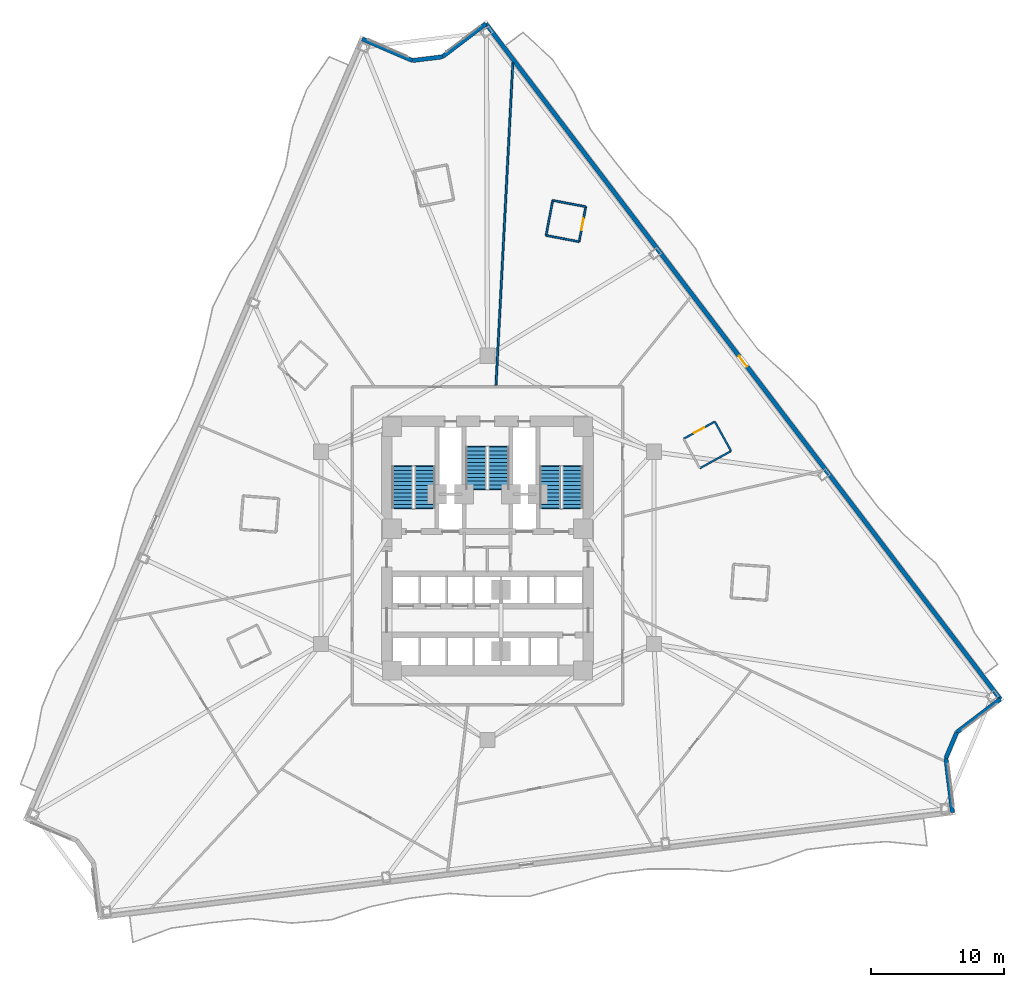
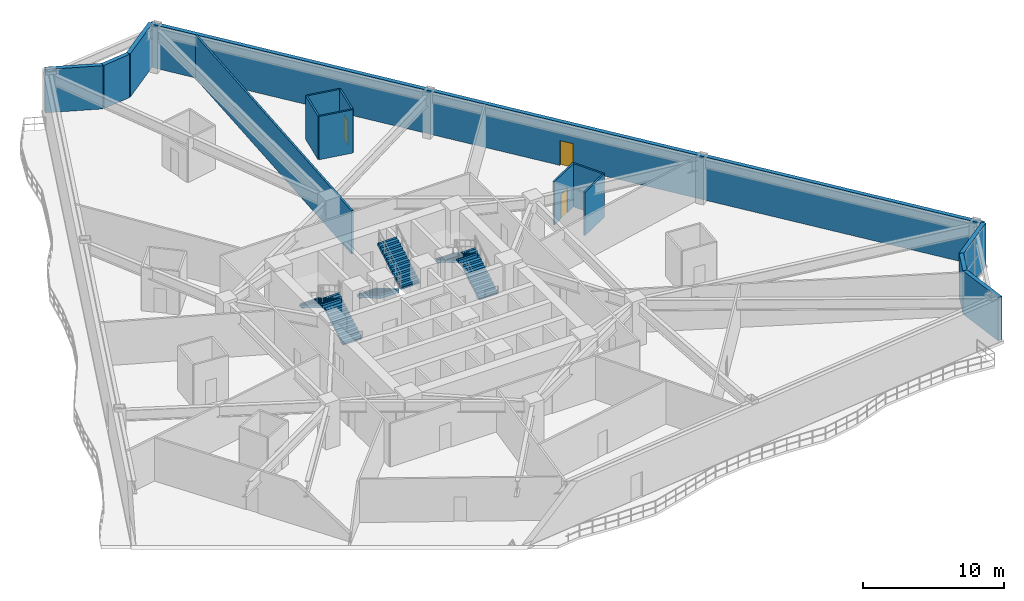
# One storey, part 11 of 17: 15 walls, 6 stair flights, 3 doors, 3 openings, 3 elements without a shape of their own.
"""IFC4 building model written with IfcOpenShell, lengths in metres."""

import ifcopenshell
import ifcopenshell.guid

model = None  # the IFC model being written
_history = None  # IfcOwnerHistory: only IFC2X3 demands one
_inside = {}  # id of a spatial element -> (the spatial element, [elements in it])
_under = {}  # id of a project, library or spatial element -> (it, [spatial elements below it])
_declared = {}  # id of a project -> (the project, [libraries it declares])
_typed = {}  # id of a type object -> (the type object, [elements of that type])
_made_of = {}  # id of a material, layer set ... -> (it, [elements and type objects made of it])


def new_model(schema):
    """Start an empty IFC model of exactly this schema.

    Asked for "IFC4X3", IfcOpenShell would pick the latest addendum, in which some entities
    have other attributes; the version numbers below select the first issue.
    IFC2X3 requires an IfcOwnerHistory on every rooted entity: one is made here for all.
    """
    global model, _history
    if schema == "IFC4X3":
        model = ifcopenshell.file(schema_version=(4, 3, 0, 0))
    else:
        model = ifcopenshell.file(schema=schema)
    _inside.clear()
    _under.clear()
    _declared.clear()
    _typed.clear()
    _made_of.clear()
    _history = None
    if model.schema == "IFC2X3":
        org = make("IfcOrganization", Name="unknown")
        user = make(
            "IfcPersonAndOrganization",
            ThePerson=make("IfcPerson", FamilyName="unknown"),
            TheOrganization=org,
        )
        app = make(
            "IfcApplication",
            ApplicationDeveloper=org,
            Version="unknown",
            ApplicationFullName="unknown",
            ApplicationIdentifier="unknown",
        )
        _history = make(
            "IfcOwnerHistory",
            OwningUser=user,
            OwningApplication=app,
            ChangeAction="ADDED",
            CreationDate=0,
        )
    return model


def make(cls, **values):
    """One entity of the class cls with the attributes given. An attribute that is None is left unset."""
    return model.create_entity(
        cls, **{name: value for name, value in values.items() if value is not None}
    )


def rooted(cls, **values):
    """An entity with a GlobalId (a new one), such as an element, a storey or a relation."""
    return make(cls, GlobalId=ifcopenshell.guid.new(), OwnerHistory=_history, **values)


def si_unit(unit_type, name, prefix=None):
    """IfcSIUnit, for example si_unit("LENGTHUNIT", "METRE", prefix="MILLI")."""
    return make("IfcSIUnit", UnitType=unit_type, Prefix=prefix, Name=name)


def assignment(units):
    """IfcUnitAssignment: the units of a project."""
    return None if units is None else make("IfcUnitAssignment", Units=units)


def point(xyz):
    """IfcCartesianPoint."""
    return None if xyz is None else make("IfcCartesianPoint", Coordinates=xyz)


def direction(xyz):
    """IfcDirection."""
    return None if xyz is None else make("IfcDirection", DirectionRatios=xyz)


def frame(location, z_axis=None, x_axis=None):
    """IfcAxis2Placement3D, a coordinate frame: its origin and axes. An axis left out is left unset."""
    return make(
        "IfcAxis2Placement3D",
        Location=point(location),
        Axis=direction(z_axis),
        RefDirection=direction(x_axis),
    )


def frame_2d(location, x_axis=None):
    """IfcAxis2Placement2D, a coordinate frame in the plane: its origin and x axis."""
    return make(
        "IfcAxis2Placement2D", Location=point(location), RefDirection=direction(x_axis)
    )


def origin():
    """The frame at (0, 0, 0) with its axes left unset."""
    return frame((0.0, 0.0, 0.0))


def place(relative_to, where):
    """IfcLocalPlacement: puts the frame where relative to a parent placement (None: the world)."""
    return make(
        "IfcLocalPlacement", PlacementRelTo=relative_to, RelativePlacement=where
    )


def context(
    kind, dimensions, precision=None, world=None, true_north=None, identifier=None
):
    """IfcGeometricRepresentationContext, for example the 3D "Model" context."""
    return make(
        "IfcGeometricRepresentationContext",
        ContextIdentifier=identifier,
        ContextType=kind,
        CoordinateSpaceDimension=dimensions,
        Precision=precision,
        WorldCoordinateSystem=world,
        TrueNorth=true_north,
    )


def subcontext(parent, identifier, kind, view, scale=None):
    """IfcGeometricRepresentationSubContext, for example "Body" below "Model"."""
    return make(
        "IfcGeometricRepresentationSubContext",
        ContextIdentifier=identifier,
        ContextType=kind,
        ParentContext=parent,
        TargetScale=scale,
        TargetView=view,
    )


def project(units=None, contexts=None):
    """IfcProject with its units and contexts."""
    return rooted(
        "IfcProject",
        Name="project",
        RepresentationContexts=contexts,
        UnitsInContext=assignment(units),
    )


def spatial(cls, under=None, at=None, **own):
    """A site, building, storey or space (cls), placed at a placement, below another one or the project."""
    s = rooted(cls, ObjectPlacement=at, **own)
    if under is not None:
        _under.setdefault(under.id(), (under, []))[1].append(s)
    return s


def polyline(points):
    """IfcPolyline through the points."""
    return make("IfcPolyline", Points=[point(p) for p in points])


def profile(cls, at=None, kind="AREA", **sizes):
    """A parametric profile (cls). Its sizes go by their IFC names, for example OverallWidth=200.0."""
    return make(cls, ProfileType=kind, Position=at, **sizes)


def rectangle(**sizes):
    """IfcRectangleProfileDef."""
    return profile("IfcRectangleProfileDef", **sizes)


def outline(outer, holes=None, kind="AREA"):
    """IfcArbitraryClosedProfileDef: a profile drawn as a closed curve; with holes, ...WithVoids."""
    if holes is None:
        return make("IfcArbitraryClosedProfileDef", ProfileType=kind, OuterCurve=outer)
    return make(
        "IfcArbitraryProfileDefWithVoids",
        ProfileType=kind,
        OuterCurve=outer,
        InnerCurves=holes,
    )


def extrude(swept, where, along, depth):
    """IfcExtrudedAreaSolid: the profile swept, set in the frame where, extruded along a direction by depth."""
    return make(
        "IfcExtrudedAreaSolid",
        SweptArea=swept,
        Position=where,
        ExtrudedDirection=direction(along),
        Depth=depth,
    )


def shape(context_of_items, identifier, shape_type, items):
    """IfcShapeRepresentation: the items that make up one representation, for example the "Body"."""
    return make(
        "IfcShapeRepresentation",
        ContextOfItems=context_of_items,
        RepresentationIdentifier=identifier,
        RepresentationType=shape_type,
        Items=items,
    )


def material(Name=None, Category=None):
    """IfcMaterial."""
    return make("IfcMaterial", Name=Name, Category=Category)


def layer(
    of_material, thickness, ventilated=None, Name=None, Category=None, Priority=None
):
    """IfcMaterialLayer: one layer of a wall or slab, of a material (None: an air gap)."""
    return make(
        "IfcMaterialLayer",
        Material=of_material,
        LayerThickness=thickness,
        IsVentilated=ventilated,
        Name=Name,
        Category=Category,
        Priority=Priority,
    )


def layer_set(layers, Name=None):
    """IfcMaterialLayerSet."""
    return make("IfcMaterialLayerSet", MaterialLayers=layers, LayerSetName=Name)


def made_of(thing, what):
    """Note that an element or type object is made of a material, layer set ...; save() writes the relation."""
    if what is not None:
        _made_of.setdefault(what.id(), (what, []))[1].append(thing)
    return thing


def type_object(cls, material=None, **own):
    """A type object (cls), such as IfcWallType, which elements share."""
    return made_of(rooted(cls, **own), material)


def element(
    cls,
    number,
    at=None,
    inside=None,
    cuts=None,
    type_object=None,
    material=None,
    context=None,
    identifier="Body",
    shape_type=None,
    held_by="IfcProductDefinitionShape",
    body=None,
    shapes=None,
    **own,
):
    """One element of the class cls, such as IfcWall. Its Tag is "e" and its number.

    at: its placement. inside: the storey or other place that contains it. cuts: it is an
    opening in that element (IfcRelVoidsElement). A single representation is given by context,
    identifier, shape_type and body (its items); several are given by shapes. held_by: the class
    of the entity that holds the representations. save() writes the other relations.
    """
    e = rooted(cls, Tag="e%d" % number, ObjectPlacement=at, **own)
    if body is not None:
        shapes = [shape(context, identifier, shape_type, body)]
    if shapes is not None:
        e.Representation = make(held_by, Representations=shapes)
    if inside is not None:
        _inside.setdefault(inside.id(), (inside, []))[1].append(e)
    if cuts is not None:
        rooted(
            "IfcRelVoidsElement", RelatingBuildingElement=cuts, RelatedOpeningElement=e
        )
    if type_object is not None:
        _typed.setdefault(type_object.id(), (type_object, []))[1].append(e)
    return made_of(e, material)


def fill(opening, filler):
    """IfcRelFillsElement: the door or window that sits in an opening."""
    return rooted(
        "IfcRelFillsElement",
        RelatingOpeningElement=opening,
        RelatedBuildingElement=filler,
    )


def aggregate(whole, parts):
    """IfcRelAggregates: a whole, such as a stair, and the parts it consists of."""
    return rooted("IfcRelAggregates", RelatingObject=whole, RelatedObjects=parts)


def save(model, path):
    """Write the relations noted so far, then the file.

    IfcRelAggregates (storeys below a building ...), IfcRelContainedInSpatialStructure (elements
    in a storey), IfcRelDefinesByType, IfcRelAssociatesMaterial and IfcRelDeclares: one each for
    every whole, place, type object, material and project.
    """
    for whole, parts in _under.values():
        aggregate(whole, parts)
    for where, things in _inside.values():
        rooted(
            "IfcRelContainedInSpatialStructure",
            RelatedElements=things,
            RelatingStructure=where,
        )
    for kind, things in _typed.values():
        rooted("IfcRelDefinesByType", RelatedObjects=things, RelatingType=kind)
    for what, things in _made_of.values():
        rooted("IfcRelAssociatesMaterial", RelatedObjects=things, RelatingMaterial=what)
    for by, libraries in _declared.values():
        rooted("IfcRelDeclares", RelatingContext=by, RelatedDefinitions=libraries)
    model.write(path)


model = new_model("IFC4")

# Units and contexts
model_context = context("Model", 3, precision=1e-05, world=origin(), true_north=direction((0.0, 1.0)))
body_context = subcontext(model_context, "Body", "Model", "MODEL_VIEW")
ifc_project = project(units=[si_unit("LENGTHUNIT", "METRE"), si_unit("AREAUNIT", "SQUARE_METRE"), si_unit("VOLUMEUNIT", "CUBIC_METRE"), si_unit("PLANEANGLEUNIT", "RADIAN"), si_unit("MASSUNIT", "GRAM", prefix="KILO")], contexts=[model_context])

# Site, building, storey
site_placement = place(None, origin())
site = spatial("IfcSite", under=ifc_project, at=site_placement, CompositionType="ELEMENT")
building_placement = place(site_placement, origin())
building = spatial("IfcBuilding", under=site, at=building_placement, Name="Apsidion Concourse Tower", CompositionType="ELEMENT")
storey_placement = place(building_placement, frame((0.0, 0.0, 75.0)))
storey = spatial("IfcBuildingStorey", under=building, at=storey_placement, Name="L16", CompositionType="ELEMENT", Elevation=75.0)

# Wall, opening, door
ifc_material_1 = material(Name="Precast concrete C40/50", Category="concrete")
ifc_layer_1 = layer(ifc_material_1, 0.320068359375)
ifc_layer_set_1 = layer_set([ifc_layer_1], Name="Precast concrete C40/50")
wall_type_1 = type_object("IfcWallType", Name="WL-EXT-320", PredefinedType="STANDARD", material=ifc_layer_set_1)
wall_1_placement = place(storey_placement, frame((-0.115234375, 39.555419921875, 0.0), z_axis=(0.0, 0.0, 1.0), x_axis=(0.605877389385, -0.795558036243, 0.0)))
wall_1 = element("IfcWall", 1, at=wall_1_placement, inside=storey, type_object=wall_type_1, Name="L16 Precast Stone Facade Wall 01", PredefinedType="STANDARD", context=body_context, shape_type="SweptSolid", body=[
    extrude(rectangle(XDim=64.058349609375, YDim=0.320068359375, at=frame_2d((32.029296875, 0.0))), origin(), (0.0, 0.0, 1.0), 3.75),
])
opening_1_placement = place(wall_1_placement, frame((31.529296875, 0.0, 0.0)))
opening_1 = element("IfcOpeningElement", 2, at=opening_1_placement, cuts=wall_1, Name="Opening D-T1L", PredefinedType="OPENING", context=body_context, shape_type="SweptSolid", body=[
    extrude(rectangle(XDim=1.0, YDim=2.14990234375, at=frame_2d((0.5, 1.074951171875))), frame((0.0, 0.169921875, 0.0), z_axis=(0.0, -1.0, 0.0), x_axis=(1.0, 0.0, 0.0)), (0.0, 0.0, 1.0), 0.340087890625),
])
ifc_material_2 = material(Name="Anodised aluminium EN AW-6063 T6", Category="aluminium")
door_type_1 = type_object("IfcDoorType", Name="DR-TER-1022L", OperationType="SINGLE_SWING_LEFT", PredefinedType="DOOR", material=ifc_material_2)
door_1_placement = place(opening_1_placement, origin())
door_1 = element("IfcDoor", 3, at=door_1_placement, inside=storey, type_object=door_type_1, Name="L16 Balcony Access Door 3", OperationType="SINGLE_SWING_LEFT", OverallHeight=2.14990234375, OverallWidth=1.0, PredefinedType="DOOR", context=body_context, shape_type="SweptSolid", body=[
    extrude(rectangle(XDim=1.0, YDim=2.14990234375, at=frame_2d((0.5, 1.074951171875))), frame((0.0, 0.02490234375, 0.0), z_axis=(0.0, -1.0, 0.0), x_axis=(1.0, 0.0, 0.0)), (0.0, 0.0, 1.0), 0.050048828125),
])
fill(opening_1, door_1)

# Walls
wall_2_placement = place(storey_placement, frame((38.6962890625, -11.40673828125, 0.0), z_axis=(0.0, 0.0, 1.0), x_axis=(-0.795549815011, -0.605888184269, 0.0)))
element("IfcWall", 4, at=wall_2_placement, inside=storey, type_object=wall_type_1, Name="L16 Precast Stone Facade Wall 02", PredefinedType="STANDARD", context=body_context, shape_type="SweptSolid", body=[
    extrude(rectangle(XDim=4.128173828125, YDim=0.320068359375, at=frame_2d((2.06396484375, 0.0))), origin(), (0.0, 0.0, 1.0), 3.75),
])
wall_3_placement = place(storey_placement, frame((35.412109375, -13.907958984375, 0.0), z_axis=(0.0, 0.0, 1.0), x_axis=(-0.388344964834, -0.921514073841, 0.0)))
element("IfcWall", 5, at=wall_3_placement, inside=storey, type_object=wall_type_1, Name="L16 Precast Stone Facade Wall 03", PredefinedType="STANDARD", context=body_context, shape_type="SweptSolid", body=[
    extrude(rectangle(XDim=2.122314453125, YDim=0.320068359375, at=frame_2d((1.06103515625, 0.0))), origin(), (0.0, 0.0, 1.0), 3.75),
])
wall_4_placement = place(storey_placement, frame((34.587890625, -15.86376953125, 0.0), z_axis=(0.0, 0.0, 1.0), x_axis=(0.12182895116, -0.992551110351, 0.0)))
element("IfcWall", 6, at=wall_4_placement, inside=storey, type_object=wall_type_1, Name="L16 Precast Stone Facade Wall 04", PredefinedType="STANDARD", context=body_context, shape_type="SweptSolid", body=[
    extrude(rectangle(XDim=4.128173828125, YDim=0.320068359375, at=frame_2d((2.06396484375, 0.0))), origin(), (0.0, 0.0, 1.0), 3.75),
])
wall_5_placement = place(storey_placement, frame((-9.45751953125, 38.408203125, 0.0), z_axis=(0.0, 0.0, 1.0), x_axis=(0.918510754284, -0.395395996774, 0.0)))
element("IfcWall", 7, at=wall_5_placement, inside=storey, type_object=wall_type_1, Name="L16 Precast Stone Facade Wall 10", PredefinedType="STANDARD", context=body_context, shape_type="SweptSolid", body=[
    extrude(rectangle(XDim=4.12890625, YDim=0.320068359375, at=frame_2d((2.064453125, 0.0))), origin(), (0.0, 0.0, 1.0), 3.75),
])
wall_6_placement = place(storey_placement, frame((-5.6650390625, 36.775634765625, 0.0), z_axis=(0.0, 0.0, 1.0), x_axis=(0.992547088217, 0.121861715369, 0.0)))
element("IfcWall", 8, at=wall_6_placement, inside=storey, type_object=wall_type_1, Name="L16 Precast Stone Facade Wall 11", PredefinedType="STANDARD", context=body_context, shape_type="SweptSolid", body=[
    extrude(rectangle(XDim=2.281982421875, YDim=0.320068359375, at=frame_2d((1.14111328125, 0.0))), origin(), (0.0, 0.0, 1.0), 3.75),
])
wall_7_placement = place(storey_placement, frame((-3.400146484375, 37.0537109375, 0.0), z_axis=(0.0, 0.0, 1.0), x_axis=(0.795557931523, 0.605877526891, 0.0)))
element("IfcWall", 9, at=wall_7_placement, inside=storey, type_object=wall_type_1, Name="L16 Precast Stone Facade Wall 12", PredefinedType="STANDARD", context=body_context, shape_type="SweptSolid", body=[
    extrude(rectangle(XDim=4.129150390625, YDim=0.320068359375, at=frame_2d((2.064453125, 0.0))), origin(), (0.0, 0.0, 1.0), 3.75),
])
ifc_material_3 = material(Name="Gypsum plasterboard partition")
ifc_layer_2 = layer(ifc_material_3, 0.139892578125)
ifc_layer_set_2 = layer_set([ifc_layer_2], Name="Gypsum plasterboard partition")
wall_type_2 = type_object("IfcWallType", Name="WL-INT-PAR-140", PredefinedType="PARTITIONING", material=ifc_layer_set_2)
wall_8_placement = place(storey_placement, frame((16.02783203125, 6.01025390625, 0.0), z_axis=(0.0, 0.0, 1.0), x_axis=(0.875459845227, 0.483290864175, 0.0)))
element("IfcWall", 10, at=wall_8_placement, inside=storey, type_object=wall_type_2, Name="L16 Interior Partition WL-L16-POD-ENS05-S1", PredefinedType="PARTITIONING", context=body_context, shape_type="SweptSolid", body=[
    extrude(rectangle(XDim=2.68994140625, YDim=0.139892578125, at=frame_2d((1.344970703125, 0.0))), origin(), (0.0, 0.0, 1.0), 3.75),
])
wall_9_placement = place(storey_placement, frame((18.3828125, 7.310302734375, 0.0), z_axis=(0.0, 0.0, 1.0), x_axis=(-0.48321709823, 0.875500563094, 0.0)))
element("IfcWall", 11, at=wall_9_placement, inside=storey, type_object=wall_type_2, Name="L16 Interior Partition WL-L16-POD-ENS05-S2", PredefinedType="PARTITIONING", context=body_context, shape_type="SweptSolid", body=[
    extrude(rectangle(XDim=2.539794921875, YDim=0.139892578125, at=frame_2d((1.27001953125, 0.0))), origin(), (0.0, 0.0, 1.0), 3.75),
])

# Wall, opening, door
wall_10_placement = place(storey_placement, frame((17.155517578125, 9.533935546875, 0.0), z_axis=(0.0, 0.0, 1.0), x_axis=(-0.87548104125, -0.483252466534, 0.0)))
wall_10 = element("IfcWall", 12, at=wall_10_placement, inside=storey, type_object=wall_type_2, Name="L16 Interior Partition WL-L16-POD-ENS05-S3", PredefinedType="PARTITIONING", context=body_context, shape_type="SweptSolid", body=[
    extrude(rectangle(XDim=2.690185546875, YDim=0.139892578125, at=frame_2d((1.34521484375, 0.0))), origin(), (0.0, 0.0, 1.0), 3.75),
])
opening_2_placement = place(wall_10_placement, frame((0.905029296875, 0.0, 0.0)))
opening_2 = element("IfcOpeningElement", 13, at=opening_2_placement, cuts=wall_10, Name="Opening D-03R", PredefinedType="OPENING", context=body_context, shape_type="SweptSolid", body=[
    extrude(rectangle(XDim=0.8798828125, YDim=2.10009765625, at=frame_2d((0.43994140625, 1.050048828125))), frame((0.0, 0.080078125, 0.0), z_axis=(0.0, -1.0, 0.0), x_axis=(1.0, 0.0, 0.0)), (0.0, 0.0, 1.0), 0.159912109375),
])
door_type_2 = type_object("IfcDoorType", Name="DR-INT-D03R", OperationType="SINGLE_SWING_RIGHT", PredefinedType="DOOR", material=ifc_material_2)
door_2_placement = place(opening_2_placement, origin())
door_2 = element("IfcDoor", 14, at=door_2_placement, inside=storey, type_object=door_type_2, Name="L16 Guest En-Suite Bathroom Door ENS05", OperationType="SINGLE_SWING_RIGHT", OverallHeight=2.10009765625, OverallWidth=0.8798828125, PredefinedType="DOOR", context=body_context, shape_type="SweptSolid", body=[
    extrude(rectangle(XDim=0.8798828125, YDim=2.10009765625, at=frame_2d((0.43994140625, 1.050048828125))), frame((0.0, 0.02490234375, 0.0), z_axis=(0.0, -1.0, 0.0), x_axis=(1.0, 0.0, 0.0)), (0.0, 0.0, 1.0), 0.050048828125),
])
fill(opening_2, door_2)

wall_11_placement = place(storey_placement, frame((6.91796875, 23.105224609375, 0.0), z_axis=(0.0, 0.0, 1.0), x_axis=(0.187416547399, 0.982280529055, 0.0)))
wall_11 = element("IfcWall", 15, at=wall_11_placement, inside=storey, type_object=wall_type_2, Name="L16 Interior Partition WL-L16-POD-ENS06-S1", PredefinedType="PARTITIONING", context=body_context, shape_type="SweptSolid", body=[
    extrude(rectangle(XDim=2.68994140625, YDim=0.139892578125, at=frame_2d((1.344970703125, 0.0))), origin(), (0.0, 0.0, 1.0), 3.75),
])
opening_3_placement = place(wall_11_placement, frame((0.905029296875, 0.0, 0.0)))
opening_3 = element("IfcOpeningElement", 16, at=opening_3_placement, cuts=wall_11, Name="Opening D-03L", PredefinedType="OPENING", context=body_context, shape_type="SweptSolid", body=[
    extrude(rectangle(XDim=0.8798828125, YDim=2.10009765625, at=frame_2d((0.43994140625, 1.050048828125))), frame((0.0, 0.080078125, 0.0), z_axis=(0.0, -1.0, 0.0), x_axis=(1.0, 0.0, 0.0)), (0.0, 0.0, 1.0), 0.159912109375),
])
door_type_3 = type_object("IfcDoorType", Name="DR-INT-D03L", OperationType="SINGLE_SWING_LEFT", PredefinedType="DOOR", material=ifc_material_2)
door_3_placement = place(opening_3_placement, origin())
door_3 = element("IfcDoor", 17, at=door_3_placement, inside=storey, type_object=door_type_3, Name="L16 Guest En-Suite Bathroom Door ENS06", OperationType="SINGLE_SWING_LEFT", OverallHeight=2.10009765625, OverallWidth=0.8798828125, PredefinedType="DOOR", context=body_context, shape_type="SweptSolid", body=[
    extrude(rectangle(XDim=0.8798828125, YDim=2.10009765625, at=frame_2d((0.43994140625, 1.050048828125))), frame((0.0, 0.02490234375, 0.0), z_axis=(0.0, -1.0, 0.0), x_axis=(1.0, 0.0, 0.0)), (0.0, 0.0, 1.0), 0.050048828125),
])
fill(opening_3, door_3)

# Walls
wall_12_placement = place(storey_placement, frame((7.422119140625, 25.74755859375, 0.0), z_axis=(0.0, 0.0, 1.0), x_axis=(-0.98229732031, 0.187328520282, 0.0)))
element("IfcWall", 18, at=wall_12_placement, inside=storey, type_object=wall_type_2, Name="L16 Interior Partition WL-L16-POD-ENS06-S2", PredefinedType="PARTITIONING", context=body_context, shape_type="SweptSolid", body=[
    extrude(rectangle(XDim=2.5400390625, YDim=0.139892578125, at=frame_2d((1.27001953125, 0.0))), origin(), (0.0, 0.0, 1.0), 3.75),
])
wall_13_placement = place(storey_placement, frame((4.927001953125, 26.223388671875, 0.0), z_axis=(0.0, 0.0, 1.0), x_axis=(-0.187416547399, -0.982280529055, 0.0)))
element("IfcWall", 19, at=wall_13_placement, inside=storey, type_object=wall_type_2, Name="L16 Interior Partition WL-L16-POD-ENS06-S3", PredefinedType="PARTITIONING", context=body_context, shape_type="SweptSolid", body=[
    extrude(rectangle(XDim=2.68994140625, YDim=0.139892578125, at=frame_2d((1.344970703125, 0.0))), origin(), (0.0, 0.0, 1.0), 3.75),
])
wall_14_placement = place(storey_placement, frame((4.4228515625, 23.5810546875, 0.0), z_axis=(0.0, 0.0, 1.0), x_axis=(0.98229732031, -0.187328520282, 0.0)))
element("IfcWall", 20, at=wall_14_placement, inside=storey, type_object=wall_type_2, Name="L16 Interior Partition WL-L16-POD-ENS06-S4", PredefinedType="PARTITIONING", context=body_context, shape_type="SweptSolid", body=[
    extrude(rectangle(XDim=2.5400390625, YDim=0.139892578125, at=frame_2d((1.27001953125, 0.0))), origin(), (0.0, 0.0, 1.0), 3.75),
])
ifc_layer_3 = layer(ifc_material_3, 0.14990234375)
ifc_layer_set_3 = layer_set([ifc_layer_3], Name="Gypsum plasterboard partition")
wall_type_3 = type_object("IfcWallType", Name="WL-INT-PAR-150", PredefinedType="PARTITIONING", material=ifc_layer_set_3)
wall_15_placement = place(storey_placement, frame((0.642333984375, 12.2548828125, 0.0), z_axis=(0.0, 0.0, 1.0), x_axis=(0.05233278359, 0.998629701021, 0.0)))
element("IfcWall", 21, at=wall_15_placement, inside=storey, type_object=wall_type_3, Name="L16 Interior Partition WL-L16-RAD-03-1", PredefinedType="PARTITIONING", context=body_context, shape_type="SweptSolid", body=[
    extrude(rectangle(XDim=24.37548828125, YDim=0.14990234375, at=frame_2d((12.187744140625, 0.0))), origin(), (0.0, 0.0, 1.0), 3.75),
])

# Stair, stair flights
stair_type = type_object("IfcStairType", Name="ST-DL-1550", PredefinedType="HALF_TURN_STAIR", material=ifc_material_1)
stair_1_placement = place(storey_placement, origin())
stair_1 = element("IfcStair", 22, at=stair_1_placement, inside=storey, type_object=stair_type, Name="L16 Protected Core Exit Stair ST1", PredefinedType="HALF_TURN_STAIR")
stair_flight_type = type_object("IfcStairFlightType", Name="SFL-RC-1550", PredefinedType="STRAIGHT", material=ifc_material_1)
stair_flight_1_placement = place(storey_placement, frame((-4.72509765625, 3.0, 0.0), z_axis=(0.0, 0.0, 1.0), x_axis=(0.0, 1.0, 0.0)))
stair_flight_1 = element("IfcStairFlight", 23, at=stair_flight_1_placement, type_object=stair_flight_type, Name="ST1 flight 1", NumberOfRisers=12, NumberOfTreads=11, PredefinedType="STRAIGHT", RiserHeight=0.166666667, TreadLength=0.285, context=body_context, shape_type="SweptSolid", body=[
    extrude(outline(polyline([(-0.080078125, -0.1123046875), (-0.080078125, 0.0), (0.0, 0.0), (0.0, 0.166748046875), (0.284912109375, 0.166748046875), (0.284912109375, 0.333251953125), (0.570068359375, 0.333251953125), (0.570068359375, 0.5), (0.85498046875, 0.5), (0.85498046875, 0.666748046875), (1.139892578125, 0.666748046875), (1.139892578125, 0.833251953125), (1.425048828125, 0.833251953125), (1.425048828125, 1.0), (1.7099609375, 1.0), (1.7099609375, 1.166748046875), (1.9951171875, 1.166748046875), (1.9951171875, 1.333251953125), (2.280029296875, 1.333251953125), (2.280029296875, 1.5), (2.56494140625, 1.5), (2.56494140625, 1.666748046875), (2.85009765625, 1.666748046875), (2.85009765625, 1.833251953125), (3.135009765625, 1.833251953125), (3.135009765625, 2.0), (3.215087890625, 1.916748046875), (3.215087890625, 1.65966796875), (3.135009765625, 1.65966796875), (0.296875, 0.0), (0.296875, -0.1123046875), (-0.080078125, -0.1123046875)])), frame((0.0, 0.77490234375, 0.0), z_axis=(0.0, -1.0, 0.0), x_axis=(1.0, 0.0, 0.0)), (0.0, 0.0, 1.0), 1.550048828125),
])
stair_flight_2_placement = place(storey_placement, frame((-6.425048828125, 6.135009765625, 2.0), z_axis=(0.0, 0.0, 1.0), x_axis=(0.0, -1.0, 0.0)))
stair_flight_2 = element("IfcStairFlight", 24, at=stair_flight_2_placement, type_object=stair_flight_type, Name="ST1 flight 2", NumberOfRisers=12, NumberOfTreads=11, PredefinedType="STRAIGHT", RiserHeight=0.166666667, TreadLength=0.285, context=body_context, shape_type="SweptSolid", body=[
    extrude(outline(polyline([(-0.080078125, -0.1123046875), (-0.080078125, 0.0), (0.0, 0.0), (0.0, 0.166748046875), (0.284912109375, 0.166748046875), (0.284912109375, 0.333251953125), (0.570068359375, 0.333251953125), (0.570068359375, 0.5), (0.85498046875, 0.5), (0.85498046875, 0.666748046875), (1.139892578125, 0.666748046875), (1.139892578125, 0.833251953125), (1.425048828125, 0.833251953125), (1.425048828125, 1.0), (1.7099609375, 1.0), (1.7099609375, 1.166748046875), (1.9951171875, 1.166748046875), (1.9951171875, 1.333251953125), (2.280029296875, 1.333251953125), (2.280029296875, 1.5), (2.56494140625, 1.5), (2.56494140625, 1.666748046875), (2.85009765625, 1.666748046875), (2.85009765625, 1.833251953125), (3.135009765625, 1.833251953125), (3.135009765625, 2.0), (3.215087890625, 1.916748046875), (3.215087890625, 1.65966796875), (3.135009765625, 1.65966796875), (0.296875, 0.0), (0.296875, -0.1123046875), (-0.080078125, -0.1123046875)])), frame((0.0, 0.77490234375, 0.0), z_axis=(0.0, -1.0, 0.0), x_axis=(1.0, 0.0, 0.0)), (0.0, 0.0, 1.0), 1.550048828125),
])
aggregate(stair_1, [stair_flight_1, stair_flight_2])

stair_2_placement = place(storey_placement, origin())
stair_2 = element("IfcStair", 25, at=stair_2_placement, inside=storey, type_object=stair_type, Name="L16 Protected Core Exit Stair ST2", PredefinedType="HALF_TURN_STAIR")
stair_flight_3_placement = place(storey_placement, frame((6.425048828125, 3.0, 0.0), z_axis=(0.0, 0.0, 1.0), x_axis=(0.0, 1.0, 0.0)))
stair_flight_3 = element("IfcStairFlight", 26, at=stair_flight_3_placement, type_object=stair_flight_type, Name="ST2 flight 1", NumberOfRisers=12, NumberOfTreads=11, PredefinedType="STRAIGHT", RiserHeight=0.166666667, TreadLength=0.285, context=body_context, shape_type="SweptSolid", body=[
    extrude(outline(polyline([(-0.080078125, -0.1123046875), (-0.080078125, 0.0), (0.0, 0.0), (0.0, 0.166748046875), (0.284912109375, 0.166748046875), (0.284912109375, 0.333251953125), (0.570068359375, 0.333251953125), (0.570068359375, 0.5), (0.85498046875, 0.5), (0.85498046875, 0.666748046875), (1.139892578125, 0.666748046875), (1.139892578125, 0.833251953125), (1.425048828125, 0.833251953125), (1.425048828125, 1.0), (1.7099609375, 1.0), (1.7099609375, 1.166748046875), (1.9951171875, 1.166748046875), (1.9951171875, 1.333251953125), (2.280029296875, 1.333251953125), (2.280029296875, 1.5), (2.56494140625, 1.5), (2.56494140625, 1.666748046875), (2.85009765625, 1.666748046875), (2.85009765625, 1.833251953125), (3.135009765625, 1.833251953125), (3.135009765625, 2.0), (3.215087890625, 1.916748046875), (3.215087890625, 1.65966796875), (3.135009765625, 1.65966796875), (0.296875, 0.0), (0.296875, -0.1123046875), (-0.080078125, -0.1123046875)])), frame((0.0, 0.77490234375, 0.0), z_axis=(0.0, -1.0, 0.0), x_axis=(1.0, 0.0, 0.0)), (0.0, 0.0, 1.0), 1.550048828125),
])
stair_flight_4_placement = place(storey_placement, frame((4.72509765625, 6.135009765625, 2.0), z_axis=(0.0, 0.0, 1.0), x_axis=(0.0, -1.0, 0.0)))
stair_flight_4 = element("IfcStairFlight", 27, at=stair_flight_4_placement, type_object=stair_flight_type, Name="ST2 flight 2", NumberOfRisers=12, NumberOfTreads=11, PredefinedType="STRAIGHT", RiserHeight=0.166666667, TreadLength=0.285, context=body_context, shape_type="SweptSolid", body=[
    extrude(outline(polyline([(-0.080078125, -0.1123046875), (-0.080078125, 0.0), (0.0, 0.0), (0.0, 0.166748046875), (0.284912109375, 0.166748046875), (0.284912109375, 0.333251953125), (0.570068359375, 0.333251953125), (0.570068359375, 0.5), (0.85498046875, 0.5), (0.85498046875, 0.666748046875), (1.139892578125, 0.666748046875), (1.139892578125, 0.833251953125), (1.425048828125, 0.833251953125), (1.425048828125, 1.0), (1.7099609375, 1.0), (1.7099609375, 1.166748046875), (1.9951171875, 1.166748046875), (1.9951171875, 1.333251953125), (2.280029296875, 1.333251953125), (2.280029296875, 1.5), (2.56494140625, 1.5), (2.56494140625, 1.666748046875), (2.85009765625, 1.666748046875), (2.85009765625, 1.833251953125), (3.135009765625, 1.833251953125), (3.135009765625, 2.0), (3.215087890625, 1.916748046875), (3.215087890625, 1.65966796875), (3.135009765625, 1.65966796875), (0.296875, 0.0), (0.296875, -0.1123046875), (-0.080078125, -0.1123046875)])), frame((0.0, 0.77490234375, 0.0), z_axis=(0.0, -1.0, 0.0), x_axis=(1.0, 0.0, 0.0)), (0.0, 0.0, 1.0), 1.550048828125),
])
aggregate(stair_2, [stair_flight_3, stair_flight_4])

stair_3_placement = place(storey_placement, origin())
stair_3 = element("IfcStair", 28, at=stair_3_placement, inside=storey, type_object=stair_type, Name="L16 Protected Core Exit Stair ST3", PredefinedType="HALF_TURN_STAIR")
stair_flight_5_placement = place(storey_placement, frame((-0.85009765625, 7.60009765625, 0.0), z_axis=(0.0, 0.0, 1.0), x_axis=(0.0, -1.0, 0.0)))
stair_flight_5 = element("IfcStairFlight", 29, at=stair_flight_5_placement, type_object=stair_flight_type, Name="ST3 flight 1", NumberOfRisers=12, NumberOfTreads=11, PredefinedType="STRAIGHT", RiserHeight=0.166666667, TreadLength=0.285, context=body_context, shape_type="SweptSolid", body=[
    extrude(outline(polyline([(-0.080078125, -0.1123046875), (-0.080078125, 0.0), (0.0, 0.0), (0.0, 0.166748046875), (0.284912109375, 0.166748046875), (0.284912109375, 0.333251953125), (0.570068359375, 0.333251953125), (0.570068359375, 0.5), (0.85498046875, 0.5), (0.85498046875, 0.666748046875), (1.139892578125, 0.666748046875), (1.139892578125, 0.833251953125), (1.425048828125, 0.833251953125), (1.425048828125, 1.0), (1.7099609375, 1.0), (1.7099609375, 1.166748046875), (1.9951171875, 1.166748046875), (1.9951171875, 1.333251953125), (2.280029296875, 1.333251953125), (2.280029296875, 1.5), (2.56494140625, 1.5), (2.56494140625, 1.666748046875), (2.85009765625, 1.666748046875), (2.85009765625, 1.833251953125), (3.135009765625, 1.833251953125), (3.135009765625, 2.0), (3.215087890625, 1.916748046875), (3.215087890625, 1.65966796875), (3.135009765625, 1.65966796875), (0.296875, 0.0), (0.296875, -0.1123046875), (-0.080078125, -0.1123046875)])), frame((0.0, 0.77490234375, 0.0), z_axis=(0.0, -1.0, 0.0), x_axis=(1.0, 0.0, 0.0)), (0.0, 0.0, 1.0), 1.550048828125),
])
stair_flight_6_placement = place(storey_placement, frame((0.85009765625, 4.465087890625, 2.0), z_axis=(0.0, 0.0, 1.0), x_axis=(0.0, 1.0, 0.0)))
stair_flight_6 = element("IfcStairFlight", 30, at=stair_flight_6_placement, type_object=stair_flight_type, Name="ST3 flight 2", NumberOfRisers=12, NumberOfTreads=11, PredefinedType="STRAIGHT", RiserHeight=0.166666667, TreadLength=0.285, context=body_context, shape_type="SweptSolid", body=[
    extrude(outline(polyline([(-0.080078125, -0.1123046875), (-0.080078125, 0.0), (0.0, 0.0), (0.0, 0.166748046875), (0.284912109375, 0.166748046875), (0.284912109375, 0.333251953125), (0.570068359375, 0.333251953125), (0.570068359375, 0.5), (0.85498046875, 0.5), (0.85498046875, 0.666748046875), (1.139892578125, 0.666748046875), (1.139892578125, 0.833251953125), (1.425048828125, 0.833251953125), (1.425048828125, 1.0), (1.7099609375, 1.0), (1.7099609375, 1.166748046875), (1.9951171875, 1.166748046875), (1.9951171875, 1.333251953125), (2.280029296875, 1.333251953125), (2.280029296875, 1.5), (2.56494140625, 1.5), (2.56494140625, 1.666748046875), (2.85009765625, 1.666748046875), (2.85009765625, 1.833251953125), (3.135009765625, 1.833251953125), (3.135009765625, 2.0), (3.215087890625, 1.916748046875), (3.215087890625, 1.65966796875), (3.135009765625, 1.65966796875), (0.296875, 0.0), (0.296875, -0.1123046875), (-0.080078125, -0.1123046875)])), frame((0.0, 0.77490234375, 0.0), z_axis=(0.0, -1.0, 0.0), x_axis=(1.0, 0.0, 0.0)), (0.0, 0.0, 1.0), 1.550048828125),
])
aggregate(stair_3, [stair_flight_5, stair_flight_6])

save(model, "model.ifc")
